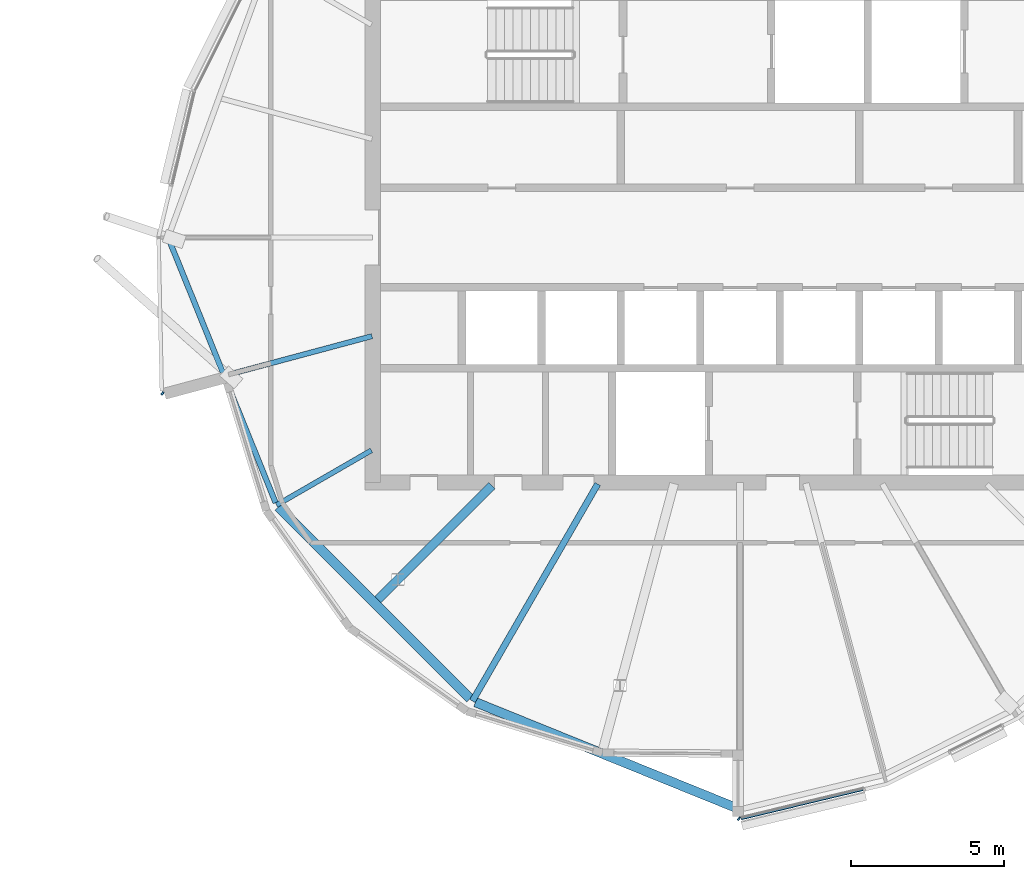
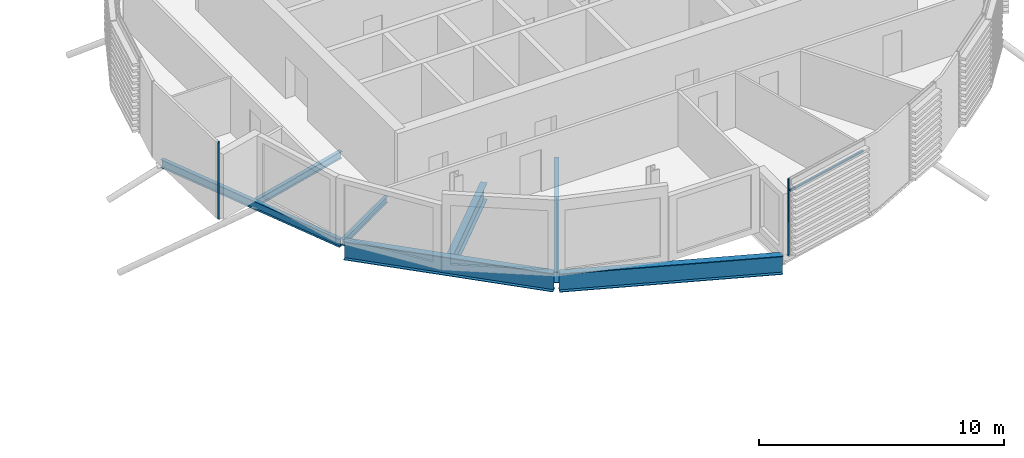
# One storey, part 9 of 36: 7 beams, 3 members, 1 element without a shape of its own.
"""IFC4 building model written with IfcOpenShell, lengths in metres."""

from ifc_helpers import new_model, si_unit, direction, frame, origin, origin_2d, place, context, subcontext, project, spatial, rectangle, i_section, extrude, material, material_profile, profile_set, type_object, element, aggregate, save


model = new_model("IFC4")

# Units and contexts
model_context = context("Model", 3, precision=1e-05, world=origin(), true_north=direction((0.0, 1.0)))
body_context = subcontext(model_context, "Body", "Model", "MODEL_VIEW")
ifc_project = project(units=[si_unit("LENGTHUNIT", "METRE"), si_unit("AREAUNIT", "SQUARE_METRE"), si_unit("VOLUMEUNIT", "CUBIC_METRE"), si_unit("PLANEANGLEUNIT", "RADIAN"), si_unit("MASSUNIT", "GRAM", prefix="KILO")], contexts=[model_context])

# Site, building, storey
site_placement = place(None, origin())
site = spatial("IfcSite", under=ifc_project, at=site_placement, CompositionType="ELEMENT")
building_placement = place(site_placement, origin())
building = spatial("IfcBuilding", under=site, at=building_placement, Name="Rimbun Link Towers", CompositionType="ELEMENT")
storey_placement = place(building_placement, frame((0.0, 0.0, 248.5)))
storey = spatial("IfcBuildingStorey", under=building, at=storey_placement, Name="L61", CompositionType="ELEMENT", Elevation=248.5)

# Curtain wall, members
ifc_material_1 = material(Name="Aluminium 6063-T6 and low-iron glass", Category="aluminium")
curtain_wall_type = type_object("IfcCurtainWallType", Name="CW1-Z4 unitised vision wall (zone 4)", PredefinedType="NOTDEFINED", material=ifc_material_1)
curtain_wall_placement = place(storey_placement, origin())
curtain_wall = element("IfcCurtainWall", 1, at=curtain_wall_placement, inside=storey, type_object=curtain_wall_type, Name="CW1 L61 T2", PredefinedType="NOTDEFINED")
ifc_material_2 = material(Name="Aluminium 6063-T6", Category="aluminium")
ifc_material_profile_1 = material_profile(ifc_material_2, rectangle(XDim=0.1201171875, YDim=0.06005859375, at=origin_2d()), Name="MULLION 60X120")
ifc_profile_set_1 = profile_set([ifc_material_profile_1], Name="Aluminium 6063-T6")
member_type_1 = type_object("IfcMemberType", Name="CW1 mullion 60X120", PredefinedType="MULLION", material=ifc_profile_set_1)
member_1_placement = place(storey_placement, frame((12.881103515625, -5.09423828125, 0.0), z_axis=(0.0, 0.0, 1.0), x_axis=(-0.600371695209, -0.799721093627, 0.0)))
member_1 = element("IfcMember", 2, at=member_1_placement, type_object=member_type_1, Name="CW1 mullion", PredefinedType="MULLION", context=body_context, shape_type="SweptSolid", body=[
    extrude(rectangle(XDim=0.1201171875, YDim=0.06005859375, at=origin_2d()), origin(), (0.0, 0.0, 1.0), 3.800048828125),
])
member_2_placement = place(storey_placement, frame((31.712890625, -18.986328125, 0.0), z_axis=(0.0, 0.0, 1.0), x_axis=(-0.619433344122, -0.785049254627, 0.0)))
member_2 = element("IfcMember", 3, at=member_2_placement, type_object=member_type_1, Name="CW1 mullion", PredefinedType="MULLION", context=body_context, shape_type="SweptSolid", body=[
    extrude(rectangle(XDim=0.1201171875, YDim=0.06005859375, at=origin_2d()), origin(), (0.0, 0.0, 1.0), 3.800048828125),
])
ifc_material_3 = material(Name="Aluminium 6063-T6", Category="aluminium")
ifc_material_profile_2 = material_profile(ifc_material_3, rectangle(XDim=0.06005859375, YDim=0.1201171875, at=origin_2d()), Name="TRANSOM 60X120")
ifc_profile_set_2 = profile_set([ifc_material_profile_2], Name="Aluminium 6063-T6")
member_type_2 = type_object("IfcMemberType", Name="CW1 transom 60X120", PredefinedType="USERDEFINED", material=ifc_profile_set_2)
member_3_placement = place(storey_placement, frame((35.77392578125, -18.036376953125, 3.199951171875), z_axis=(-0.972572145929, -0.232601420809, 0.0), x_axis=(0.232601420809, -0.972572145929, 0.0)))
member_3 = element("IfcMember", 4, at=member_3_placement, type_object=member_type_2, Name="CW1 transom", ObjectType="TRANSOM", PredefinedType="USERDEFINED", context=body_context, shape_type="SweptSolid", body=[
    extrude(rectangle(XDim=0.06005859375, YDim=0.1201171875, at=origin_2d()), origin(), (0.0, 0.0, 1.0), 4.093505859375),
])
aggregate(curtain_wall, [member_1, member_2, member_3])

# Beams
ifc_material_4 = material(Name="Steel S355J2", Category="steel")
ifc_material_profile_3 = material_profile(ifc_material_4, i_section(OverallWidth=0.1650390625, OverallDepth=0.303466796875, WebThickness=0.006103515625, FlangeThickness=0.01025390625, at=origin_2d()), Name="UB 305x165x40")
ifc_profile_set_3 = profile_set([ifc_material_profile_3], Name="Steel S355J2")
beam_type_1 = type_object("IfcBeamType", Name="UB 305x165x40", PredefinedType="BEAM", material=ifc_profile_set_3)
beam_1_placement = place(storey_placement, frame((19.7080078125, -6.952392578125, -0.291748046875), z_axis=(-0.866025331845, -0.500000124603, 0.0), x_axis=(0.500000124603, -0.866025331845, 0.0)))
element("IfcBeam", 5, at=beam_1_placement, inside=storey, type_object=beam_type_1, Name="Radial beam T2 L61 11", PredefinedType="BEAM", context=body_context, shape_type="SweptSolid", body=[
    extrude(i_section(OverallWidth=0.1650390625, OverallDepth=0.303466796875, WebThickness=0.006103515625, FlangeThickness=0.01025390625, at=origin_2d()), origin(), (0.0, 0.0, 1.0), 3.5771484375),
])
ifc_material_5 = material(Name="Steel S355J2", Category="steel")
ifc_material_profile_4 = material_profile(ifc_material_5, i_section(OverallWidth=0.17138671875, OverallDepth=0.35498046875, WebThickness=0.00732421875, FlangeThickness=0.011474609375, at=origin_2d()), Name="UB 356x171x51")
ifc_profile_set_4 = profile_set([ifc_material_profile_4], Name="Steel S355J2")
beam_type_2 = type_object("IfcBeamType", Name="UB 356x171x51", PredefinedType="BEAM", material=ifc_profile_set_4)
beam_2_placement = place(storey_placement, frame((19.726806640625, -3.2216796875, -0.3173828125), z_axis=(-0.965923852563, -0.258826411036, 0.0), x_axis=(0.258826411036, -0.965923852563, 0.0)))
element("IfcBeam", 6, at=beam_2_placement, inside=storey, type_object=beam_type_2, Name="Radial beam T2 L61 10", PredefinedType="BEAM", context=body_context, shape_type="SweptSolid", body=[
    extrude(i_section(OverallWidth=0.17138671875, OverallDepth=0.35498046875, WebThickness=0.00732421875, FlangeThickness=0.011474609375, at=origin_2d()), origin(), (0.0, 0.0, 1.0), 4.90869140625),
])
ifc_material_6 = material(Name="Steel S355J2", Category="steel")
ifc_material_profile_5 = material_profile(ifc_material_6, i_section(OverallWidth=0.177978515625, OverallDepth=0.406494140625, WebThickness=0.0078125, FlangeThickness=0.0126953125, at=origin_2d()), Name="UB 406x178x60")
ifc_profile_set_5 = profile_set([ifc_material_profile_5], Name="Steel S355J2")
beam_type_3 = type_object("IfcBeamType", Name="UB 406x178x60", PredefinedType="BEAM", material=ifc_profile_set_5)
beam_3_placement = place(storey_placement, frame((13.10302734375, -0.086669921875, -0.34326171875), z_axis=(0.375589973517, -0.926785936338, 0.0), x_axis=(0.926785936338, 0.375589973517, 0.0)))
element("IfcBeam", 7, at=beam_3_placement, inside=storey, type_object=beam_type_3, Name="Edge beam T2 L61 09-11", PredefinedType="BEAM", context=body_context, shape_type="SweptSolid", body=[
    extrude(i_section(OverallWidth=0.177978515625, OverallDepth=0.406494140625, WebThickness=0.0078125, FlangeThickness=0.0126953125, at=origin_2d()), origin(), (0.0, 0.0, 1.0), 9.253662109375),
])
ifc_material_7 = material(Name="Steel S355J2", Category="steel")
ifc_material_profile_6 = material_profile(ifc_material_7, i_section(OverallWidth=0.209228515625, OverallDepth=0.533203125, WebThickness=0.010009765625, FlangeThickness=0.015625, at=origin_2d()), Name="UB 533x210x92")
ifc_profile_set_6 = profile_set([ifc_material_profile_6], Name="Steel S355J2")
beam_type_4 = type_object("IfcBeamType", Name="UB 533x210x92", PredefinedType="BEAM", material=ifc_profile_set_6)
beam_4_placement = place(storey_placement, frame((27.1005859375, -8.05322265625, -0.406494140625), z_axis=(-0.500005677665, -0.866022125758, 0.0), x_axis=(0.866022125758, -0.500005677665, 0.0)))
element("IfcBeam", 8, at=beam_4_placement, inside=storey, type_object=beam_type_4, Name="Radial beam T2 L61 13", PredefinedType="BEAM", context=body_context, shape_type="SweptSolid", body=[
    extrude(i_section(OverallWidth=0.209228515625, OverallDepth=0.533203125, WebThickness=0.010009765625, FlangeThickness=0.015625, at=origin_2d()), origin(), (0.0, 0.0, 1.0), 8.18310546875),
])
ifc_material_8 = material(Name="Steel S355J2", Category="steel")
ifc_material_profile_7 = material_profile(ifc_material_8, i_section(OverallWidth=0.29248046875, OverallDepth=0.8408203125, WebThickness=0.0126953125, FlangeThickness=0.021728515625, at=origin_2d()), Name="UB 838x292x194")
ifc_profile_set_7 = profile_set([ifc_material_profile_7], Name="Steel S355J2")
beam_type_5 = type_object("IfcBeamType", Name="UB 838x292x194", PredefinedType="BEAM", material=ifc_profile_set_7)
beam_5_placement = place(storey_placement, frame((23.64599609375, -8.10400390625, -0.560302734375), z_axis=(-0.707106781187, -0.707106781187, 0.0), x_axis=(0.707106781187, -0.707106781187, 0.0)))
element("IfcBeam", 9, at=beam_5_placement, inside=storey, type_object=beam_type_5, Name="Radial beam T2 L61 12", PredefinedType="BEAM", context=body_context, shape_type="SweptSolid", body=[
    extrude(i_section(OverallWidth=0.29248046875, OverallDepth=0.8408203125, WebThickness=0.0126953125, FlangeThickness=0.021728515625, at=origin_2d()), origin(), (0.0, 0.0, 1.0), 5.27197265625),
])
ifc_material_9 = material(Name="Steel S355J2", Category="steel")
ifc_material_profile_8 = material_profile(ifc_material_9, i_section(OverallWidth=0.305419921875, OverallDepth=0.91845703125, WebThickness=0.017333984375, FlangeThickness=0.02783203125, at=origin_2d()), Name="UB 914x305x253")
ifc_profile_set_8 = profile_set([ifc_material_profile_8], Name="Steel S355J2")
beam_type_6 = type_object("IfcBeamType", Name="UB 914x305x253", PredefinedType="BEAM", material=ifc_profile_set_8)
beam_6_placement = place(storey_placement, frame((16.67138671875, -8.802001953125, -0.59912109375), z_axis=(0.707092993263, -0.707120568842, 0.0), x_axis=(0.707120568842, 0.707092993263, 0.0)))
element("IfcBeam", 10, at=beam_6_placement, inside=storey, type_object=beam_type_6, Name="Edge beam T2 L61 11-13", PredefinedType="BEAM", context=body_context, shape_type="SweptSolid", body=[
    extrude(i_section(OverallWidth=0.305419921875, OverallDepth=0.91845703125, WebThickness=0.017333984375, FlangeThickness=0.02783203125, at=origin_2d()), origin(), (0.0, 0.0, 1.0), 8.853515625),
])
beam_7_placement = place(storey_placement, frame((23.10791015625, -15.179931640625, -0.59912109375), z_axis=(0.926785454643, -0.375591162119, 0.0), x_axis=(0.375591162119, 0.926785454643, 0.0)))
element("IfcBeam", 11, at=beam_7_placement, inside=storey, type_object=beam_type_6, Name="Edge beam T2 L61 13-15", PredefinedType="BEAM", context=body_context, shape_type="SweptSolid", body=[
    extrude(i_section(OverallWidth=0.305419921875, OverallDepth=0.91845703125, WebThickness=0.017333984375, FlangeThickness=0.02783203125, at=origin_2d()), origin(), (0.0, 0.0, 1.0), 9.200927734375),
])

save(model, "model.ifc")
